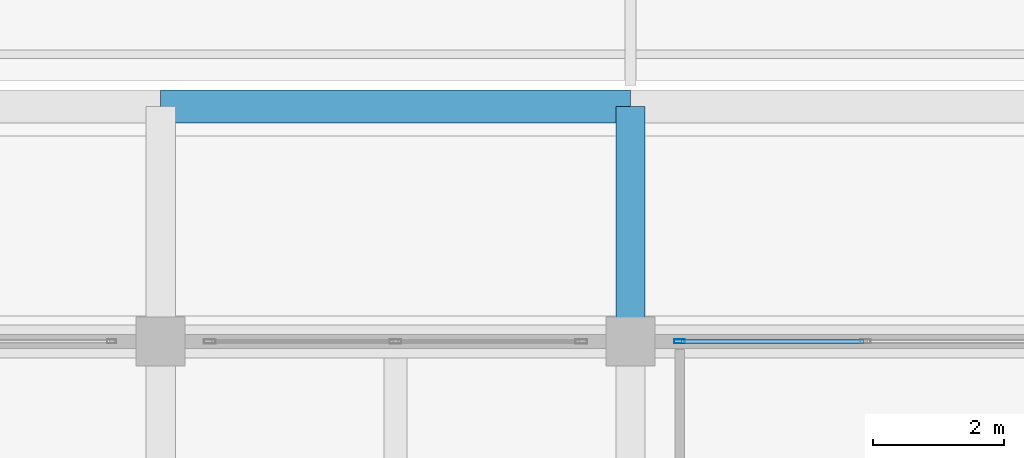
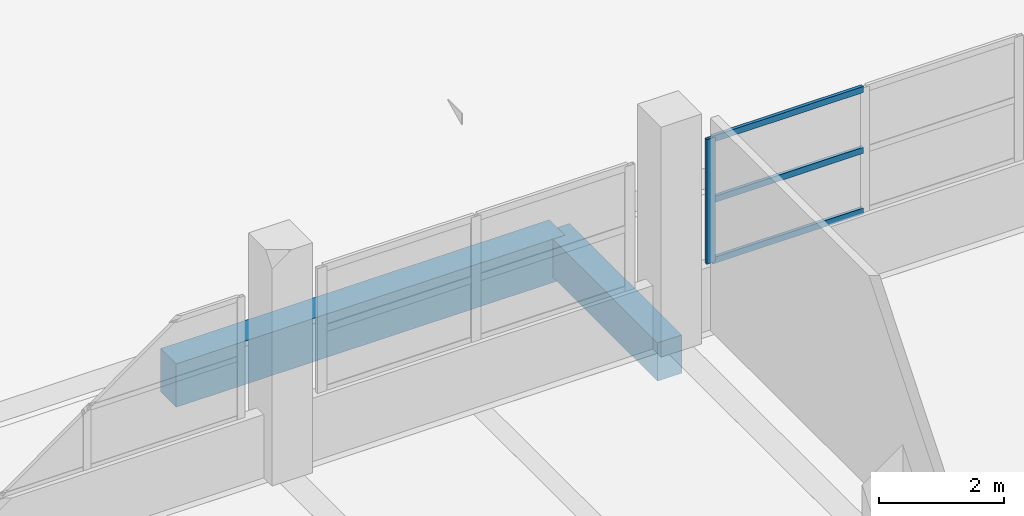
# One storey, part 62 of 141: 4 members, 2 beams, 1 element without a shape of its own.
"""IFC4 building model written with IfcOpenShell, lengths in metres."""

from ifc_helpers import new_model, si_unit, direction, frame, origin, origin_2d, place, context, subcontext, project, spatial, rectangle, hollow_rectangle, extrude, material, layer, layer_set, material_profile, profile_set, type_object, element, aggregate, save


model = new_model("IFC4")

# Units and contexts
model_context = context("Model", 3, precision=1e-05, world=origin(), true_north=direction((0.0, 1.0)))
body_context = subcontext(model_context, "Body", "Model", "MODEL_VIEW")
ifc_project = project(units=[si_unit("LENGTHUNIT", "METRE"), si_unit("AREAUNIT", "SQUARE_METRE"), si_unit("VOLUMEUNIT", "CUBIC_METRE"), si_unit("PLANEANGLEUNIT", "RADIAN"), si_unit("MASSUNIT", "GRAM", prefix="KILO")], contexts=[model_context])

# Site, building, storey
site_placement = place(None, origin())
site = spatial("IfcSite", under=ifc_project, at=site_placement, CompositionType="ELEMENT")
building_placement = place(site_placement, origin())
building = spatial("IfcBuilding", under=site, at=building_placement, Name="Seraya Terrace Polytechnic", CompositionType="ELEMENT")
storey_placement = place(building_placement, frame((0.0, 0.0, 14.39990234375)))
storey = spatial("IfcBuildingStorey", under=building, at=storey_placement, Name="L03", CompositionType="ELEMENT", Elevation=14.39990234375)

# Beams
ifc_material_1 = material(Name="Concrete C40/50", Category="concrete")
ifc_material_profile_1 = material_profile(ifc_material_1, rectangle(XDim=0.5, YDim=0.85009765625, at=origin_2d()), Name="RC 500x850")
ifc_profile_set_1 = profile_set([ifc_material_profile_1], Name="Concrete C40/50")
beam_type_1 = type_object("IfcBeamType", Name="BM-05", PredefinedType="BEAM", material=ifc_profile_set_1)
beam_1_placement = place(storey_placement, frame((21.60009765625, 75.60009765625, -0.4248046875), z_axis=(1.0, 0.0, 0.0), x_axis=(0.0, 1.0, 0.0)))
element("IfcBeam", 1, at=beam_1_placement, inside=storey, type_object=beam_type_1, Name="Beam BM-05 L03 X (21.6..28.8, 75.6)", PredefinedType="BEAM", context=body_context, shape_type="SweptSolid", body=[
    extrude(rectangle(XDim=0.5, YDim=0.85009765625, at=origin_2d()), origin(), (0.0, 0.0, 1.0), 7.199951171875),
])
ifc_material_profile_2 = material_profile(ifc_material_1, rectangle(XDim=0.449951171875, YDim=0.75, at=origin_2d()), Name="RC 450x750")
ifc_profile_set_2 = profile_set([ifc_material_profile_2], Name="Concrete C40/50")
beam_type_2 = type_object("IfcBeamType", Name="BM-08", PredefinedType="BEAM", material=ifc_profile_set_2)
beam_2_placement = place(storey_placement, frame((28.800048828125, 72.0, -0.375), z_axis=(0.0, 1.0, 0.0), x_axis=(-1.0, 0.0, 0.0)))
element("IfcBeam", 2, at=beam_2_placement, inside=storey, type_object=beam_type_2, Name="Beam BM-08 L03 Y (28.8, 72.0..75.6)", PredefinedType="BEAM", context=body_context, shape_type="SweptSolid", body=[
    extrude(rectangle(XDim=0.449951171875, YDim=0.75, at=origin_2d()), origin(), (0.0, 0.0, 1.0), 3.60009765625),
])

# Curtain wall, members
ifc_material_2 = material(Name="Anodised aluminium EN AW-6063 T6", Category="aluminium")
ifc_layer = layer(ifc_material_2, 0.179931640625, Name="CW-08")
ifc_layer_set = layer_set([ifc_layer], Name="Anodised aluminium EN AW-6063 T6")
curtain_wall_type = type_object("IfcCurtainWallType", Name="CW-08", PredefinedType="NOTDEFINED", material=ifc_layer_set)
curtain_wall_placement = place(storey_placement, origin())
curtain_wall = element("IfcCurtainWall", 3, at=curtain_wall_placement, inside=storey, type_object=curtain_wall_type, Name="Unitised curtain wall CW-08 (CW-L03-116)", PredefinedType="NOTDEFINED")
ifc_material_profile_3 = material_profile(ifc_material_2, hollow_rectangle(XDim=0.06005859375, YDim=0.159912109375, WallThickness=0.00341796875, at=origin_2d()), Name="RHS 160x60x3.5")
ifc_profile_set_3 = profile_set([ifc_material_profile_3], Name="Anodised aluminium EN AW-6063 T6")
member_type_1 = type_object("IfcMemberType", Name="CWM-02", PredefinedType="MULLION", material=ifc_profile_set_3)
member_1_placement = place(storey_placement, frame((29.550048828125, 72.0, 1.239990234375), z_axis=(0.0, 0.0, 1.0), x_axis=(0.0, 1.0, 0.0)))
member_1 = element("IfcMember", 4, at=member_1_placement, type_object=member_type_1, Name="CW-08 mullion 1", PredefinedType="MULLION", context=body_context, shape_type="SweptSolid", body=[
    extrude(hollow_rectangle(XDim=0.06005859375, YDim=0.159912109375, WallThickness=0.00341796875, at=origin_2d()), origin(), (0.0, 0.0, 1.0), 2.440185546875),
])
ifc_material_profile_4 = material_profile(ifc_material_2, hollow_rectangle(XDim=0.06005859375, YDim=0.1201171875, WallThickness=0.003173828125, at=origin_2d()), Name="RHS 120x60x3.2")
ifc_profile_set_4 = profile_set([ifc_material_profile_4], Name="Anodised aluminium EN AW-6063 T6")
member_type_2 = type_object("IfcMemberType", Name="CWT-02", PredefinedType="USERDEFINED", material=ifc_profile_set_4)
member_2_placement = place(storey_placement, frame((29.580078125, 72.0, 1.27001953125), z_axis=(1.0, 0.0, 0.0), x_axis=(0.0, 1.0, 0.0)))
member_2 = element("IfcMember", 5, at=member_2_placement, type_object=member_type_2, Name="CW-08 transom 1.1", ObjectType="TRANSOM", PredefinedType="USERDEFINED", context=body_context, shape_type="SweptSolid", body=[
    extrude(hollow_rectangle(XDim=0.06005859375, YDim=0.1201171875, WallThickness=0.003173828125, at=origin_2d()), origin(), (0.0, 0.0, 1.0), 2.7900390625),
])
member_3_placement = place(storey_placement, frame((29.580078125, 72.0, 2.460205078125), z_axis=(1.0, 0.0, 0.0), x_axis=(0.0, 1.0, 0.0)))
member_3 = element("IfcMember", 6, at=member_3_placement, type_object=member_type_2, Name="CW-08 transom 1.2", ObjectType="TRANSOM", PredefinedType="USERDEFINED", context=body_context, shape_type="SweptSolid", body=[
    extrude(hollow_rectangle(XDim=0.06005859375, YDim=0.1201171875, WallThickness=0.003173828125, at=origin_2d()), origin(), (0.0, 0.0, 1.0), 2.7900390625),
])
member_4_placement = place(storey_placement, frame((29.580078125, 72.0, 3.650146484375), z_axis=(1.0, 0.0, 0.0), x_axis=(0.0, 1.0, 0.0)))
member_4 = element("IfcMember", 7, at=member_4_placement, type_object=member_type_2, Name="CW-08 transom 1.3", ObjectType="TRANSOM", PredefinedType="USERDEFINED", context=body_context, shape_type="SweptSolid", body=[
    extrude(hollow_rectangle(XDim=0.06005859375, YDim=0.1201171875, WallThickness=0.003173828125, at=origin_2d()), origin(), (0.0, 0.0, 1.0), 2.7900390625),
])
aggregate(curtain_wall, [member_1, member_2, member_3, member_4])

save(model, "model.ifc")
